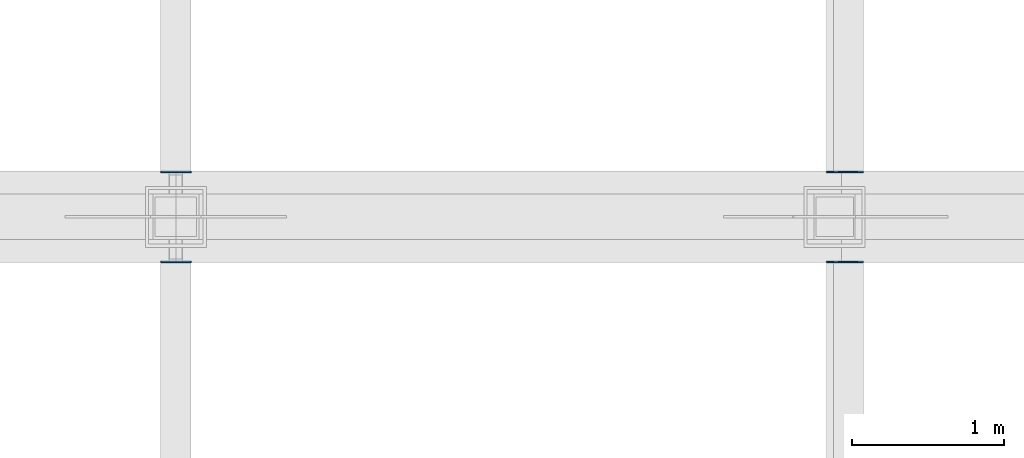
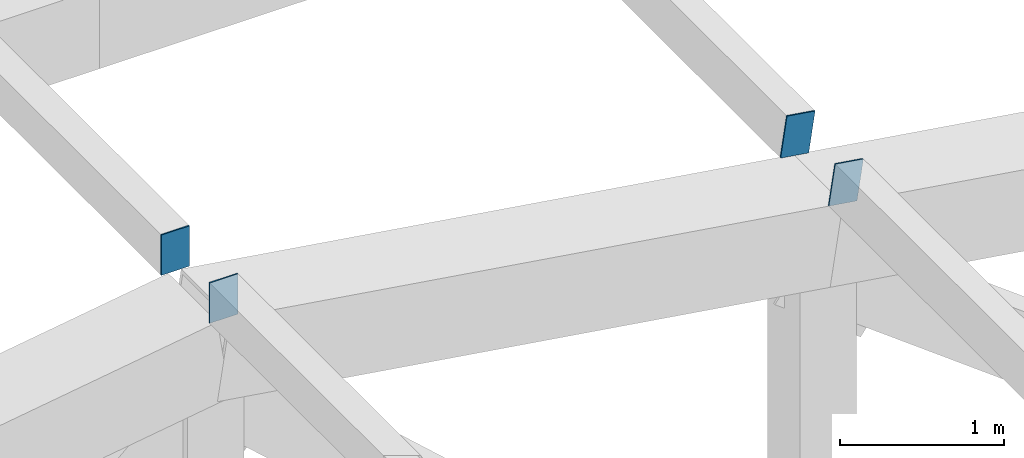
# One storey, part 21 of 32: 4 discrete accessories.
"""IFC4 building model written with IfcOpenShell, lengths in metres."""

from ifc_helpers import new_model, si_unit, direction, frame, origin, place, context, subcontext, project, spatial, polyline, outline, extrude, material, layer, layer_set, type_object, element, save


model = new_model("IFC4")

# Units and contexts
model_context = context("Model", 3, precision=1e-05, world=origin(), true_north=direction((0.0, 1.0)))
body_context = subcontext(model_context, "Body", "Model", "MODEL_VIEW")
ifc_project = project(units=[si_unit("LENGTHUNIT", "METRE"), si_unit("AREAUNIT", "SQUARE_METRE"), si_unit("VOLUMEUNIT", "CUBIC_METRE"), si_unit("PLANEANGLEUNIT", "RADIAN"), si_unit("MASSUNIT", "GRAM", prefix="KILO")], contexts=[model_context])

# Site, building, storey
site_placement = place(None, origin())
site = spatial("IfcSite", under=ifc_project, at=site_placement, CompositionType="ELEMENT")
building_placement = place(site_placement, origin())
building = spatial("IfcBuilding", under=site, at=building_placement, Name="Aravalli Gate Trade Fair Centre", CompositionType="ELEMENT")
storey_placement = place(building_placement, frame((0.0, 0.0, 23.39990234375)))
storey = spatial("IfcBuildingStorey", under=building, at=storey_placement, Name="ROOF LEVEL 1", CompositionType="ELEMENT", Elevation=23.39990234375)

# Discrete accessories
ifc_material = material(Name="Steel E350", Category="steel")
ifc_layer = layer(ifc_material, 0.010009765625)
ifc_layer_set = layer_set([ifc_layer], Name="Steel E350")
discrete_accessory_type = type_object("IfcDiscreteAccessoryType", Name="End plate 200x300 x 10", PredefinedType="USERDEFINED", material=ifc_layer_set)
for number, where, z_axis, x_axis, name in (
    (1, (128.5, 72.7099609375, 5.106201171875), (0.0, 1.0, 0.0), (-1.0, 0.0, 0.0), "End plate Roof purlin line 6 bay 1 end B"),
    (2, (128.5, 73.300048828125, 5.106201171875), (0.0, 1.0, 0.0), (-1.0, 0.0, 0.0), "End plate Roof purlin line 6 bay 2 end A"),
):
    element("IfcDiscreteAccessory", number, at=place(storey_placement, frame(where, z_axis=z_axis, x_axis=x_axis)), inside=storey, type_object=discrete_accessory_type, Name=name, ObjectType="END CAP", PredefinedType="USERDEFINED", context=body_context, shape_type="SweptSolid", body=[
        extrude(outline(polyline([(0.0, 0.0), (0.199951171875, 0.0), (0.199951171875, 0.300048828125), (0.0, 0.300048828125), (0.0, 0.0)])), origin(), (0.0, 0.0, -1.0), 0.010009765625),
    ])
for number, where, z_axis, x_axis, name in (
    (3, (132.8642578125, 72.7099609375, 4.42138671875), (0.0, 1.0, 0.0), (-0.988484290215, 0.0, 0.151323520971), "End plate Roof purlin line 7 bay 1 end B"),
    (4, (132.8642578125, 73.300048828125, 4.42138671875), (0.0, 1.0, 0.0), (-0.988484290215, 0.0, 0.151323520971), "End plate Roof purlin line 7 bay 2 end A"),
):
    element("IfcDiscreteAccessory", number, at=place(storey_placement, frame(where, z_axis=z_axis, x_axis=x_axis)), inside=storey, type_object=discrete_accessory_type, Name=name, ObjectType="END CAP", PredefinedType="USERDEFINED", context=body_context, shape_type="SweptSolid", body=[
        extrude(outline(polyline([(0.0, 0.0), (0.2000577128110791, 0.0), (0.2000577128110791, 0.30008656921661864), (0.0002413291724156566, 0.30004962499763155), (0.0, 0.0)])), origin(), (0.0, 0.0, -1.0), 0.010009765625),
    ])

save(model, "model.ifc")
